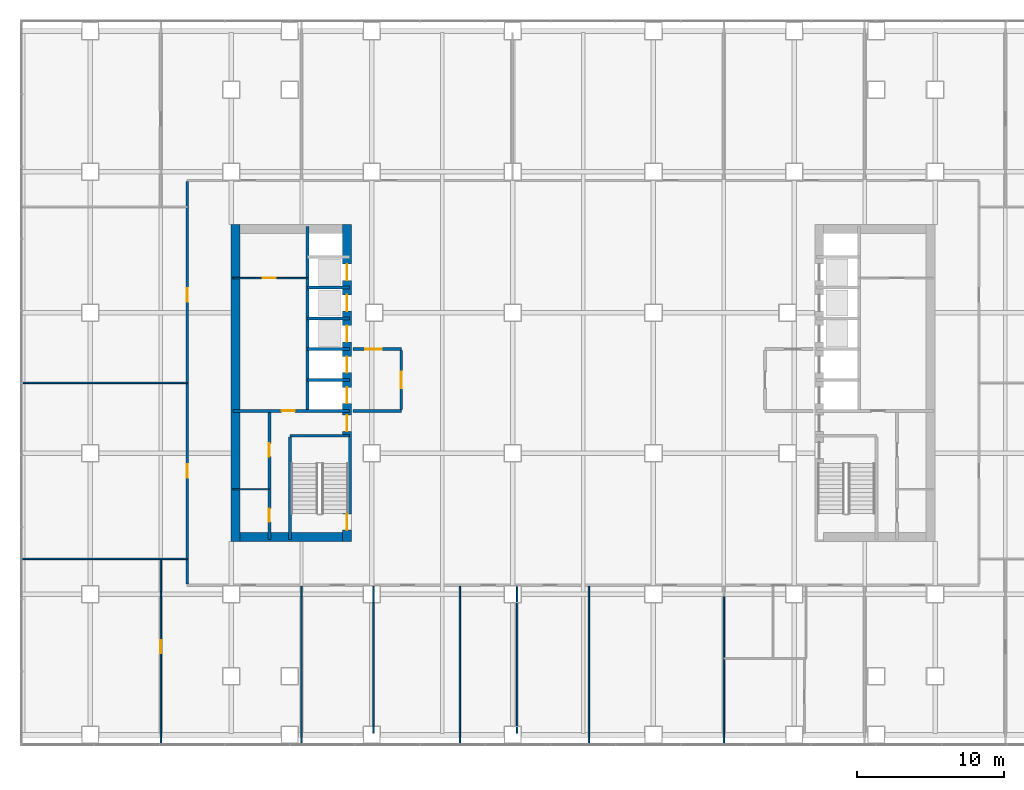
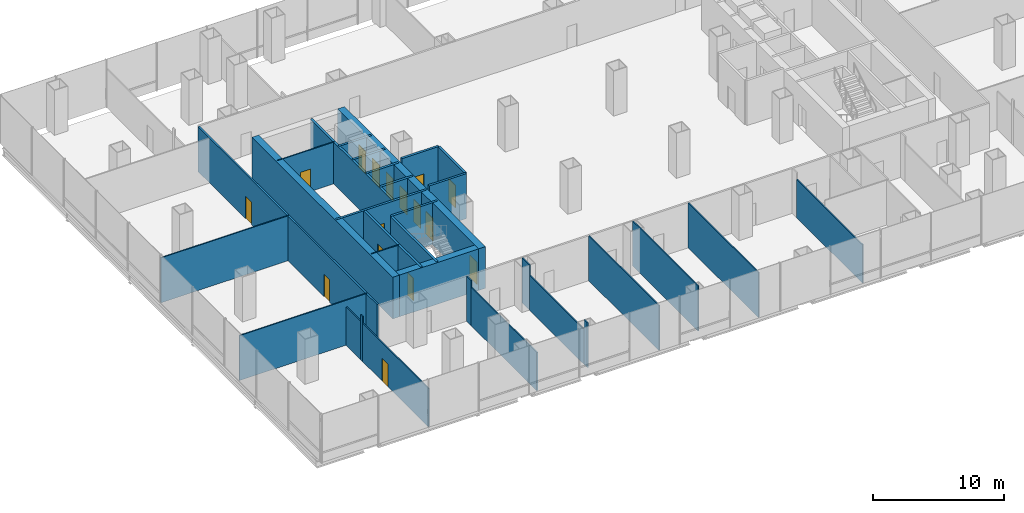
# One storey, part 16 of 23: 32 walls, 16 doors, 16 openings.
"""IFC4 building model written with IfcOpenShell, lengths in metres."""

from ifc_helpers import new_model, si_unit, direction, frame, frame_2d, origin, place, context, subcontext, project, spatial, rectangle, extrude, material, layer, layer_set, type_object, element, fill, save


model = new_model("IFC4")

# Units and contexts
model_context = context("Model", 3, precision=1e-05, world=origin(), true_north=direction((0.0, 1.0)))
body_context = subcontext(model_context, "Body", "Model", "MODEL_VIEW")
ifc_project = project(units=[si_unit("LENGTHUNIT", "METRE"), si_unit("AREAUNIT", "SQUARE_METRE"), si_unit("VOLUMEUNIT", "CUBIC_METRE"), si_unit("PLANEANGLEUNIT", "RADIAN"), si_unit("MASSUNIT", "GRAM", prefix="KILO")], contexts=[model_context])

# Site, building, storey
site_placement = place(None, origin())
site = spatial("IfcSite", under=ifc_project, at=site_placement, CompositionType="ELEMENT")
building_placement = place(site_placement, origin())
building = spatial("IfcBuilding", under=site, at=building_placement, Name="Cobrizo Arcos Hotel Tower", CompositionType="ELEMENT")
storey_placement = place(building_placement, frame((0.0, 0.0, 29.0)))
storey = spatial("IfcBuildingStorey", under=building, at=storey_placement, Name="L05", CompositionType="ELEMENT", Elevation=29.0)

# Wall, openings, doors
ifc_material_1 = material(Name="Gypsum board partition")
ifc_layer_1 = layer(ifc_material_1, 0.14990234375)
ifc_layer_set_1 = layer_set([ifc_layer_1], Name="Corridor wall EI 60 150")
wall_type_1 = type_object("IfcWallType", Name="Corridor wall EI 60 150", PredefinedType="PARTITIONING", material=ifc_layer_set_1)
wall_1_placement = place(storey_placement, frame((-27.0, -13.72509765625, 0.0), z_axis=(0.0, 0.0, 1.0), x_axis=(0.0, 1.0, 0.0)))
wall_1 = element("IfcWall", 1, at=wall_1_placement, inside=storey, type_object=wall_type_1, Name="Partition 038", PredefinedType="PARTITIONING", context=body_context, shape_type="SweptSolid", body=[
    extrude(rectangle(XDim=27.4501953125, YDim=0.14990234375, at=frame_2d((13.72509765625, 0.0))), origin(), (0.0, 0.0, 1.0), 4.199951171875),
])
opening_1_placement = place(wall_1_placement, frame((7.27490234375, 0.0, 0.0)))
opening_1 = element("IfcOpeningElement", 2, at=opening_1_placement, cuts=wall_1, Name="Opening RD-16", PredefinedType="OPENING", context=body_context, shape_type="SweptSolid", body=[
    extrude(rectangle(XDim=0.89990234375, YDim=2.10009765625, at=frame_2d((0.449951171875, 1.050048828125))), frame((0.0, 0.0869140625, 0.0), z_axis=(0.0, -1.0, 0.0), x_axis=(1.0, 0.0, 0.0)), (0.0, 0.0, 1.0), 0.173828125),
])
opening_2_placement = place(wall_1_placement, frame((19.27490234375, 0.0, 0.0)))
opening_2 = element("IfcOpeningElement", 3, at=opening_2_placement, cuts=wall_1, Name="Opening RD-17", PredefinedType="OPENING", context=body_context, shape_type="SweptSolid", body=[
    extrude(rectangle(XDim=0.89990234375, YDim=2.10009765625, at=frame_2d((0.449951171875, 1.050048828125))), frame((0.0, 0.0869140625, 0.0), z_axis=(0.0, -1.0, 0.0), x_axis=(1.0, 0.0, 0.0)), (0.0, 0.0, 1.0), 0.173828125),
])
ifc_material_2 = material(Name="Timber door leaf", Category="wood")
door_type_1 = type_object("IfcDoorType", Name="Room door FD30 900x2100", OperationType="SINGLE_SWING_LEFT", PredefinedType="DOOR", material=ifc_material_2)
door_1_placement = place(opening_1_placement, origin())
door_1 = element("IfcDoor", 4, at=door_1_placement, inside=storey, type_object=door_type_1, Name="Door RD-16", OperationType="SINGLE_SWING_RIGHT", OverallHeight=2.10009765625, OverallWidth=0.89990234375, PredefinedType="DOOR", context=body_context, shape_type="SweptSolid", body=[
    extrude(rectangle(XDim=0.89990234375, YDim=2.10009765625, at=frame_2d((0.449951171875, 1.050048828125))), frame((0.0, 0.02490234375, 0.0), z_axis=(0.0, -1.0, 0.0), x_axis=(1.0, 0.0, 0.0)), (0.0, 0.0, 1.0), 0.050048828125),
])
fill(opening_1, door_1)
door_2_placement = place(opening_2_placement, origin())
door_2 = element("IfcDoor", 5, at=door_2_placement, inside=storey, type_object=door_type_1, Name="Door RD-17", OperationType="SINGLE_SWING_LEFT", OverallHeight=2.10009765625, OverallWidth=0.89990234375, PredefinedType="DOOR", context=body_context, shape_type="SweptSolid", body=[
    extrude(rectangle(XDim=0.89990234375, YDim=2.10009765625, at=frame_2d((0.449951171875, 1.050048828125))), frame((0.0, 0.02490234375, 0.0), z_axis=(0.0, -1.0, 0.0), x_axis=(1.0, 0.0, 0.0)), (0.0, 0.0, 1.0), 0.050048828125),
])
fill(opening_2, door_2)

# Walls
ifc_layer_2 = layer(ifc_material_1, 0.10009765625)
ifc_layer_set_2 = layer_set([ifc_layer_2], Name="Partition EI 30 100")
wall_type_2 = type_object("IfcWallType", Name="Partition EI 30 100", PredefinedType="PARTITIONING", material=ifc_layer_set_2)
wall_2_placement = place(storey_placement, frame((-38.280029296875, -12.0, 0.0), z_axis=(0.0, 0.0, 1.0), x_axis=(1.0, 0.0, 0.0)))
element("IfcWall", 6, at=wall_2_placement, inside=storey, type_object=wall_type_2, Name="Partition 003", PredefinedType="PARTITIONING", context=body_context, shape_type="SweptSolid", body=[
    extrude(rectangle(XDim=11.280029296875, YDim=0.10009765625, at=frame_2d((5.64013671875, 0.0))), origin(), (0.0, 0.0, 1.0), 4.199951171875),
])
wall_3_placement = place(storey_placement, frame((-23.8798828125, -7.25, 0.0), z_axis=(0.0, 0.0, 1.0), x_axis=(1.0, 0.0, 0.0)))
element("IfcWall", 7, at=wall_3_placement, inside=storey, type_object=wall_type_2, Name="Partition 005", PredefinedType="PARTITIONING", context=body_context, shape_type="SweptSolid", body=[
    extrude(rectangle(XDim=2.47998046875, YDim=0.10009765625, at=frame_2d((1.239990234375, 0.0))), origin(), (0.0, 0.0, 1.0), 3.89990234375),
])
wall_4_placement = place(storey_placement, frame((-38.280029296875, 0.0, 0.0), z_axis=(0.0, 0.0, 1.0), x_axis=(1.0, 0.0, 0.0)))
element("IfcWall", 8, at=wall_4_placement, inside=storey, type_object=wall_type_2, Name="Partition 013", PredefinedType="PARTITIONING", context=body_context, shape_type="SweptSolid", body=[
    extrude(rectangle(XDim=11.280029296875, YDim=0.10009765625, at=frame_2d((5.64013671875, 0.0))), origin(), (0.0, 0.0, 1.0), 4.199951171875),
])

# Wall, opening, door
wall_5_placement = place(storey_placement, frame((-23.8798828125, 7.14990234375, 0.0), z_axis=(0.0, 0.0, 1.0), x_axis=(1.0, 0.0, 0.0)))
wall_5 = element("IfcWall", 9, at=wall_5_placement, inside=storey, type_object=wall_type_2, Name="Partition 025", PredefinedType="PARTITIONING", context=body_context, shape_type="SweptSolid", body=[
    extrude(rectangle(XDim=5.079833984375, YDim=0.10009765625, at=frame_2d((2.5400390625, 0.0))), origin(), (0.0, 0.0, 1.0), 3.89990234375),
])
opening_3_placement = place(wall_5_placement, frame((2.030029296875, 0.0, 0.0)))
opening_3 = element("IfcOpeningElement", 10, at=opening_3_placement, cuts=wall_5, Name="Opening RD-04", PredefinedType="OPENING", context=body_context, shape_type="SweptSolid", body=[
    extrude(rectangle(XDim=0.89990234375, YDim=2.10009765625, at=frame_2d((0.449951171875, 1.050048828125))), frame((0.0, 0.06201171875, 0.0), z_axis=(0.0, -1.0, 0.0), x_axis=(1.0, 0.0, 0.0)), (0.0, 0.0, 1.0), 0.1240234375),
])
door_3_placement = place(opening_3_placement, origin())
door_3 = element("IfcDoor", 11, at=door_3_placement, inside=storey, type_object=door_type_1, Name="Door RD-04", OperationType="SINGLE_SWING_LEFT", OverallHeight=2.10009765625, OverallWidth=0.89990234375, PredefinedType="DOOR", context=body_context, shape_type="SweptSolid", body=[
    extrude(rectangle(XDim=0.89990234375, YDim=2.10009765625, at=frame_2d((0.449951171875, 1.050048828125))), frame((0.0, 0.02490234375, 0.0), z_axis=(0.0, -1.0, 0.0), x_axis=(1.0, 0.0, 0.0)), (0.0, 0.0, 1.0), 0.050048828125),
])
fill(opening_3, door_3)

wall_6_placement = place(storey_placement, frame((-28.800048828125, -24.6298828125, 0.0), z_axis=(0.0, 0.0, 1.0), x_axis=(0.0, 1.0, 0.0)))
wall_6 = element("IfcWall", 12, at=wall_6_placement, inside=storey, type_object=wall_type_2, Name="Partition 032", PredefinedType="PARTITIONING", context=body_context, shape_type="SweptSolid", body=[
    extrude(rectangle(XDim=10.076171875, YDim=0.10009765625, at=frame_2d((5.0380859375, 0.0))), origin(), (0.0, 0.0, 1.0), 3.5830078125),
])
opening_4_placement = place(wall_6_placement, frame((6.179931640625, 0.0, 0.0)))
opening_4 = element("IfcOpeningElement", 13, at=opening_4_placement, cuts=wall_6, Name="Opening RD-27", PredefinedType="OPENING", context=body_context, shape_type="SweptSolid", body=[
    extrude(rectangle(XDim=0.89990234375, YDim=2.10009765625, at=frame_2d((0.449951171875, 1.050048828125))), frame((0.0, 0.06201171875, 0.0), z_axis=(0.0, -1.0, 0.0), x_axis=(1.0, 0.0, 0.0)), (0.0, 0.0, 1.0), 0.1240234375),
])
door_4_placement = place(opening_4_placement, origin())
door_4 = element("IfcDoor", 14, at=door_4_placement, inside=storey, type_object=door_type_1, Name="Door RD-27", OperationType="SINGLE_SWING_RIGHT", OverallHeight=2.10009765625, OverallWidth=0.89990234375, PredefinedType="DOOR", context=body_context, shape_type="SweptSolid", body=[
    extrude(rectangle(XDim=0.89990234375, YDim=2.10009765625, at=frame_2d((0.449951171875, 1.050048828125))), frame((0.0, 0.02490234375, 0.0), z_axis=(0.0, -1.0, 0.0), x_axis=(1.0, 0.0, 0.0)), (0.0, 0.0, 1.0), 0.050048828125),
])
fill(opening_4, door_4)

# Walls
wall_7_placement = place(storey_placement, frame((-28.800048828125, -14.553955078125, 0.0), z_axis=(0.0, 0.0, 1.0), x_axis=(0.0, 1.0, 0.0)))
element("IfcWall", 15, at=wall_7_placement, inside=storey, type_object=wall_type_2, Name="Partition 033", PredefinedType="PARTITIONING", context=body_context, shape_type="SweptSolid", body=[
    extrude(rectangle(XDim=0.307861328125, YDim=0.10009765625, at=frame_2d((0.15380859375, 0.0))), origin(), (0.0, 0.0, 1.0), 4.199951171875),
])
wall_8_placement = place(storey_placement, frame((-28.800048828125, -14.24609375, 0.0), z_axis=(0.0, 0.0, 1.0), x_axis=(0.0, 1.0, 0.0)))
element("IfcWall", 16, at=wall_8_placement, inside=storey, type_object=wall_type_2, Name="Partition 034", PredefinedType="PARTITIONING", context=body_context, shape_type="SweptSolid", body=[
    extrude(rectangle(XDim=2.196044921875, YDim=0.10009765625, at=frame_2d((1.09814453125, 0.0))), origin(), (0.0, 0.0, 1.0), 3.5830078125),
])
wall_9_placement = place(storey_placement, frame((-19.199951171875, -24.6298828125, 0.0), z_axis=(0.0, 0.0, 1.0), x_axis=(0.0, 1.0, 0.0)))
element("IfcWall", 17, at=wall_9_placement, inside=storey, type_object=wall_type_2, Name="Partition 041", PredefinedType="PARTITIONING", context=body_context, shape_type="SweptSolid", body=[
    extrude(rectangle(XDim=10.076171875, YDim=0.10009765625, at=frame_2d((5.0380859375, 0.0))), origin(), (0.0, 0.0, 1.0), 3.5830078125),
])
wall_10_placement = place(storey_placement, frame((-19.199951171875, -14.553955078125, 0.0), z_axis=(0.0, 0.0, 1.0), x_axis=(0.0, 1.0, 0.0)))
element("IfcWall", 18, at=wall_10_placement, inside=storey, type_object=wall_type_2, Name="Partition 042", PredefinedType="PARTITIONING", context=body_context, shape_type="SweptSolid", body=[
    extrude(rectangle(XDim=0.678955078125, YDim=0.10009765625, at=frame_2d((0.33935546875, 0.0))), origin(), (0.0, 0.0, 1.0), 4.199951171875),
])
wall_11_placement = place(storey_placement, frame((-14.300048828125, -23.8798828125, 0.0), z_axis=(0.0, 0.0, 1.0), x_axis=(0.0, 1.0, 0.0)))
element("IfcWall", 19, at=wall_11_placement, inside=storey, type_object=wall_type_2, Name="Partition 046", PredefinedType="PARTITIONING", context=body_context, shape_type="SweptSolid", body=[
    extrude(rectangle(XDim=0.47998046875, YDim=0.10009765625, at=frame_2d((0.239990234375, 0.0))), origin(), (0.0, 0.0, 1.0), 4.199951171875),
])
wall_12_placement = place(storey_placement, frame((-14.300048828125, -23.39990234375, 0.0), z_axis=(0.0, 0.0, 1.0), x_axis=(0.0, 1.0, 0.0)))
element("IfcWall", 20, at=wall_12_placement, inside=storey, type_object=wall_type_2, Name="Partition 047", PredefinedType="PARTITIONING", context=body_context, shape_type="SweptSolid", body=[
    extrude(rectangle(XDim=8.39990234375, YDim=0.10009765625, at=frame_2d((4.199951171875, 0.0))), origin(), (0.0, 0.0, 1.0), 3.27294921875),
])
wall_13_placement = place(storey_placement, frame((-14.300048828125, -15.0, 0.0), z_axis=(0.0, 0.0, 1.0), x_axis=(0.0, 1.0, 0.0)))
element("IfcWall", 21, at=wall_13_placement, inside=storey, type_object=wall_type_2, Name="Partition 048", PredefinedType="PARTITIONING", context=body_context, shape_type="SweptSolid", body=[
    extrude(rectangle(XDim=1.125, YDim=0.10009765625, at=frame_2d((0.5625, 0.0))), origin(), (0.0, 0.0, 1.0), 4.199951171875),
])
wall_14_placement = place(storey_placement, frame((-8.39990234375, -24.6298828125, 0.0), z_axis=(0.0, 0.0, 1.0), x_axis=(0.0, 1.0, 0.0)))
element("IfcWall", 22, at=wall_14_placement, inside=storey, type_object=wall_type_2, Name="Partition 050", PredefinedType="PARTITIONING", context=body_context, shape_type="SweptSolid", body=[
    extrude(rectangle(XDim=10.7548828125, YDim=0.10009765625, at=frame_2d((5.37744140625, 0.0))), origin(), (0.0, 0.0, 1.0), 4.199951171875),
])
wall_15_placement = place(storey_placement, frame((-4.5, -23.8798828125, 0.0), z_axis=(0.0, 0.0, 1.0), x_axis=(0.0, 1.0, 0.0)))
element("IfcWall", 23, at=wall_15_placement, inside=storey, type_object=wall_type_2, Name="Partition 054", PredefinedType="PARTITIONING", context=body_context, shape_type="SweptSolid", body=[
    extrude(rectangle(XDim=10.0048828125, YDim=0.10009765625, at=frame_2d((5.00244140625, 0.0))), origin(), (0.0, 0.0, 1.0), 4.199951171875),
])
wall_16_placement = place(storey_placement, frame((0.39990234375, -24.6298828125, 0.0), z_axis=(0.0, 0.0, 1.0), x_axis=(0.0, 1.0, 0.0)))
element("IfcWall", 24, at=wall_16_placement, inside=storey, type_object=wall_type_2, Name="Partition 055", PredefinedType="PARTITIONING", context=body_context, shape_type="SweptSolid", body=[
    extrude(rectangle(XDim=10.7548828125, YDim=0.10009765625, at=frame_2d((5.37744140625, 0.0))), origin(), (0.0, 0.0, 1.0), 4.199951171875),
])
wall_17_placement = place(storey_placement, frame((9.60009765625, -24.6298828125, 0.0), z_axis=(0.0, 0.0, 1.0), x_axis=(0.0, 1.0, 0.0)))
element("IfcWall", 25, at=wall_17_placement, inside=storey, type_object=wall_type_2, Name="Partition 056", PredefinedType="PARTITIONING", context=body_context, shape_type="SweptSolid", body=[
    extrude(rectangle(XDim=10.076171875, YDim=0.10009765625, at=frame_2d((5.0380859375, 0.0))), origin(), (0.0, 0.0, 1.0), 3.5830078125),
])

# Wall, openings, doors
ifc_material_3 = material(Name="Concrete f'c 60 MPa", Category="concrete")
ifc_layer_3 = layer(ifc_material_3, 0.60009765625)
ifc_layer_set_3 = layer_set([ifc_layer_3], Name="RC core wall 600 f'c 60")
wall_type_3 = type_object("IfcWallType", Name="RC core wall 600 f'c 60", PredefinedType="SHEAR", material=ifc_layer_set_3)
wall_18_placement = place(storey_placement, frame((-16.10009765625, -10.800048828125, 0.0), z_axis=(0.0, 0.0, 1.0), x_axis=(0.0, 1.0, 0.0)))
wall_18 = element("IfcWall", 26, at=wall_18_placement, inside=storey, type_object=wall_type_3, Name="Core wall CW1, west core, inner face, L05", PredefinedType="SHEAR", context=body_context, shape_type="SweptSolid", body=[
    extrude(rectangle(XDim=21.60009765625, YDim=0.60009765625, at=frame_2d((10.800048828125, 0.0))), origin(), (0.0, 0.0, 1.0), 3.89990234375),
])
opening_5_placement = place(wall_18_placement, frame((9.39990234375, 0.0, 0.0)))
opening_5 = element("IfcOpeningElement", 27, at=opening_5_placement, cuts=wall_18, Name="Opening LD-01", PredefinedType="OPENING", context=body_context, shape_type="SweptSolid", body=[
    extrude(rectangle(XDim=1.10009765625, YDim=2.10009765625, at=frame_2d((0.550048828125, 1.050048828125))), frame((0.0, 0.31201171875, 0.0), z_axis=(0.0, -1.0, 0.0), x_axis=(1.0, 0.0, 0.0)), (0.0, 0.0, 1.0), 0.6240234375),
])
opening_6_placement = place(wall_18_placement, frame((11.5, 0.0, 0.0)))
opening_6 = element("IfcOpeningElement", 28, at=opening_6_placement, cuts=wall_18, Name="Opening LD-02", PredefinedType="OPENING", context=body_context, shape_type="SweptSolid", body=[
    extrude(rectangle(XDim=1.10009765625, YDim=2.10009765625, at=frame_2d((0.550048828125, 1.050048828125))), frame((0.0, 0.31201171875, 0.0), z_axis=(0.0, -1.0, 0.0), x_axis=(1.0, 0.0, 0.0)), (0.0, 0.0, 1.0), 0.6240234375),
])
opening_7_placement = place(wall_18_placement, frame((13.60009765625, 0.0, 0.0)))
opening_7 = element("IfcOpeningElement", 29, at=opening_7_placement, cuts=wall_18, Name="Opening LD-03", PredefinedType="OPENING", context=body_context, shape_type="SweptSolid", body=[
    extrude(rectangle(XDim=1.10009765625, YDim=2.10009765625, at=frame_2d((0.550048828125, 1.050048828125))), frame((0.0, 0.31201171875, 0.0), z_axis=(0.0, -1.0, 0.0), x_axis=(1.0, 0.0, 0.0)), (0.0, 0.0, 1.0), 0.6240234375),
])
opening_8_placement = place(wall_18_placement, frame((15.699951171875, 0.0, 0.0)))
opening_8 = element("IfcOpeningElement", 30, at=opening_8_placement, cuts=wall_18, Name="Opening LD-04", PredefinedType="OPENING", context=body_context, shape_type="SweptSolid", body=[
    extrude(rectangle(XDim=1.10009765625, YDim=2.10009765625, at=frame_2d((0.550048828125, 1.050048828125))), frame((0.0, 0.31201171875, 0.0), z_axis=(0.0, -1.0, 0.0), x_axis=(1.0, 0.0, 0.0)), (0.0, 0.0, 1.0), 0.6240234375),
])
opening_9_placement = place(wall_18_placement, frame((17.800048828125, 0.0, 0.0)))
opening_9 = element("IfcOpeningElement", 31, at=opening_9_placement, cuts=wall_18, Name="Opening LD-05", PredefinedType="OPENING", context=body_context, shape_type="SweptSolid", body=[
    extrude(rectangle(XDim=1.10009765625, YDim=2.10009765625, at=frame_2d((0.550048828125, 1.050048828125))), frame((0.0, 0.31201171875, 0.0), z_axis=(0.0, -1.0, 0.0), x_axis=(1.0, 0.0, 0.0)), (0.0, 0.0, 1.0), 0.6240234375),
])
opening_10_placement = place(wall_18_placement, frame((0.758056640625, 0.0, 0.0)))
opening_10 = element("IfcOpeningElement", 32, at=opening_10_placement, cuts=wall_18, Name="Opening SD-01", PredefinedType="OPENING", context=body_context, shape_type="SweptSolid", body=[
    extrude(rectangle(XDim=1.10009765625, YDim=2.10009765625, at=frame_2d((0.550048828125, 1.050048828125))), frame((0.0, 0.31201171875, 0.0), z_axis=(0.0, -1.0, 0.0), x_axis=(1.0, 0.0, 0.0)), (0.0, 0.0, 1.0), 0.6240234375),
])
opening_11_placement = place(wall_18_placement, frame((7.5, 0.0, 0.0)))
opening_11 = element("IfcOpeningElement", 33, at=opening_11_placement, cuts=wall_18, Name="Opening FD-01", PredefinedType="OPENING", context=body_context, shape_type="SweptSolid", body=[
    extrude(rectangle(XDim=1.10009765625, YDim=2.10009765625, at=frame_2d((0.550048828125, 1.050048828125))), frame((0.0, 0.31201171875, 0.0), z_axis=(0.0, -1.0, 0.0), x_axis=(1.0, 0.0, 0.0)), (0.0, 0.0, 1.0), 0.6240234375),
])
ifc_material_4 = material(Name="Steel door leaf", Category="steel")
door_type_2 = type_object("IfcDoorType", Name="Fire door FD60 1100x2100", OperationType="SINGLE_SWING_LEFT", PredefinedType="DOOR", material=ifc_material_4)
door_5_placement = place(opening_11_placement, origin())
door_5 = element("IfcDoor", 34, at=door_5_placement, inside=storey, type_object=door_type_2, Name="Door FD-01", OperationType="SINGLE_SWING_LEFT", OverallHeight=2.10009765625, OverallWidth=1.10009765625, PredefinedType="DOOR", context=body_context, shape_type="SweptSolid", body=[
    extrude(rectangle(XDim=1.10009765625, YDim=2.10009765625, at=frame_2d((0.550048828125, 1.050048828125))), frame((0.0, 0.02490234375, 0.0), z_axis=(0.0, -1.0, 0.0), x_axis=(1.0, 0.0, 0.0)), (0.0, 0.0, 1.0), 0.050048828125),
])
fill(opening_11, door_5)
door_type_3 = type_object("IfcDoorType", Name="Lift landing door 1100x2100", OperationType="SLIDING_TO_LEFT", PredefinedType="DOOR", material=ifc_material_4)
door_6_placement = place(opening_5_placement, origin())
door_6 = element("IfcDoor", 35, at=door_6_placement, inside=storey, type_object=door_type_3, Name="Lift landing door LD-01", OperationType="SLIDING_TO_LEFT", OverallHeight=2.10009765625, OverallWidth=1.10009765625, PredefinedType="DOOR", context=body_context, shape_type="SweptSolid", body=[
    extrude(rectangle(XDim=1.10009765625, YDim=2.10009765625, at=frame_2d((0.550048828125, 1.050048828125))), frame((0.0, 0.02490234375, 0.0), z_axis=(0.0, -1.0, 0.0), x_axis=(1.0, 0.0, 0.0)), (0.0, 0.0, 1.0), 0.050048828125),
])
fill(opening_5, door_6)
door_7_placement = place(opening_6_placement, origin())
door_7 = element("IfcDoor", 36, at=door_7_placement, inside=storey, type_object=door_type_3, Name="Lift landing door LD-02", OperationType="SLIDING_TO_LEFT", OverallHeight=2.10009765625, OverallWidth=1.10009765625, PredefinedType="DOOR", context=body_context, shape_type="SweptSolid", body=[
    extrude(rectangle(XDim=1.10009765625, YDim=2.10009765625, at=frame_2d((0.550048828125, 1.050048828125))), frame((0.0, 0.02490234375, 0.0), z_axis=(0.0, -1.0, 0.0), x_axis=(1.0, 0.0, 0.0)), (0.0, 0.0, 1.0), 0.050048828125),
])
fill(opening_6, door_7)
door_8_placement = place(opening_7_placement, origin())
door_8 = element("IfcDoor", 37, at=door_8_placement, inside=storey, type_object=door_type_3, Name="Lift landing door LD-03", OperationType="SLIDING_TO_LEFT", OverallHeight=2.10009765625, OverallWidth=1.10009765625, PredefinedType="DOOR", context=body_context, shape_type="SweptSolid", body=[
    extrude(rectangle(XDim=1.10009765625, YDim=2.10009765625, at=frame_2d((0.550048828125, 1.050048828125))), frame((0.0, 0.02490234375, 0.0), z_axis=(0.0, -1.0, 0.0), x_axis=(1.0, 0.0, 0.0)), (0.0, 0.0, 1.0), 0.050048828125),
])
fill(opening_7, door_8)
door_9_placement = place(opening_8_placement, origin())
door_9 = element("IfcDoor", 38, at=door_9_placement, inside=storey, type_object=door_type_3, Name="Lift landing door LD-04", OperationType="SLIDING_TO_LEFT", OverallHeight=2.10009765625, OverallWidth=1.10009765625, PredefinedType="DOOR", context=body_context, shape_type="SweptSolid", body=[
    extrude(rectangle(XDim=1.10009765625, YDim=2.10009765625, at=frame_2d((0.550048828125, 1.050048828125))), frame((0.0, 0.02490234375, 0.0), z_axis=(0.0, -1.0, 0.0), x_axis=(1.0, 0.0, 0.0)), (0.0, 0.0, 1.0), 0.050048828125),
])
fill(opening_8, door_9)
door_10_placement = place(opening_9_placement, origin())
door_10 = element("IfcDoor", 39, at=door_10_placement, inside=storey, type_object=door_type_3, Name="Lift landing door LD-05", OperationType="SLIDING_TO_LEFT", OverallHeight=2.10009765625, OverallWidth=1.10009765625, PredefinedType="DOOR", context=body_context, shape_type="SweptSolid", body=[
    extrude(rectangle(XDim=1.10009765625, YDim=2.10009765625, at=frame_2d((0.550048828125, 1.050048828125))), frame((0.0, 0.02490234375, 0.0), z_axis=(0.0, -1.0, 0.0), x_axis=(1.0, 0.0, 0.0)), (0.0, 0.0, 1.0), 0.050048828125),
])
fill(opening_9, door_10)
door_type_4 = type_object("IfcDoorType", Name="Stair door FD60S 1100x2100", OperationType="SINGLE_SWING_LEFT", PredefinedType="DOOR", material=ifc_material_4)
door_11_placement = place(opening_10_placement, origin())
door_11 = element("IfcDoor", 40, at=door_11_placement, inside=storey, type_object=door_type_4, Name="Door SD-01", OperationType="SINGLE_SWING_RIGHT", OverallHeight=2.10009765625, OverallWidth=1.10009765625, PredefinedType="DOOR", context=body_context, shape_type="SweptSolid", body=[
    extrude(rectangle(XDim=1.10009765625, YDim=2.10009765625, at=frame_2d((0.550048828125, 1.050048828125))), frame((0.0, 0.02490234375, 0.0), z_axis=(0.0, -1.0, 0.0), x_axis=(1.0, 0.0, 0.0)), (0.0, 0.0, 1.0), 0.050048828125),
])
fill(opening_10, door_11)

# Walls
wall_19_placement = place(storey_placement, frame((-23.699951171875, -10.800048828125, 0.0), z_axis=(0.0, 0.0, 1.0), x_axis=(0.0, 1.0, 0.0)))
element("IfcWall", 41, at=wall_19_placement, inside=storey, type_object=wall_type_3, Name="Core wall CW1, west core, outer face, L05", PredefinedType="SHEAR", context=body_context, shape_type="SweptSolid", body=[
    extrude(rectangle(XDim=21.60009765625, YDim=0.60009765625, at=frame_2d((10.800048828125, 0.0))), origin(), (0.0, 0.0, 1.0), 3.89990234375),
])
wall_20_placement = place(storey_placement, frame((-23.39990234375, -10.5, 0.0), z_axis=(0.0, 0.0, 1.0), x_axis=(1.0, 0.0, 0.0)))
element("IfcWall", 42, at=wall_20_placement, inside=storey, type_object=wall_type_3, Name="Core wall CW1, west core, south end, L05", PredefinedType="SHEAR", context=body_context, shape_type="SweptSolid", body=[
    extrude(rectangle(XDim=7.0, YDim=0.60009765625, at=frame_2d((3.5, 0.0))), origin(), (0.0, 0.0, 1.0), 3.89990234375),
])

# Wall, opening, door
ifc_layer_4 = layer(ifc_material_1, 0.199951171875)
ifc_layer_set_4 = layer_set([ifc_layer_4], Name="Shaft wall EI 120 200")
wall_type_4 = type_object("IfcWallType", Name="Shaft wall EI 120 200", PredefinedType="PARTITIONING", material=ifc_layer_set_4)
wall_21_placement = place(storey_placement, frame((-23.8798828125, -1.89990234375, 0.0), z_axis=(0.0, 0.0, 1.0), x_axis=(1.0, 0.0, 0.0)))
wall_21 = element("IfcWall", 43, at=wall_21_placement, inside=storey, type_object=wall_type_4, Name="Partition 009", PredefinedType="PARTITIONING", context=body_context, shape_type="SweptSolid", body=[
    extrude(rectangle(XDim=7.9599609375, YDim=0.199951171875, at=frame_2d((3.97998046875, 0.0))), origin(), (0.0, 0.0, 1.0), 3.89990234375),
])
opening_12_placement = place(wall_21_placement, frame((3.320068359375, 0.0, 0.0)))
opening_12 = element("IfcOpeningElement", 44, at=opening_12_placement, cuts=wall_21, Name="Opening RD-03", PredefinedType="OPENING", context=body_context, shape_type="SweptSolid", body=[
    extrude(rectangle(XDim=0.89990234375, YDim=2.10009765625, at=frame_2d((0.449951171875, 1.050048828125))), frame((0.0, 0.112060546875, 0.0), z_axis=(0.0, -1.0, 0.0), x_axis=(1.0, 0.0, 0.0)), (0.0, 0.0, 1.0), 0.223876953125),
])
door_12_placement = place(opening_12_placement, origin())
door_12 = element("IfcDoor", 45, at=door_12_placement, inside=storey, type_object=door_type_1, Name="Door RD-03", OperationType="SINGLE_SWING_RIGHT", OverallHeight=2.10009765625, OverallWidth=0.89990234375, PredefinedType="DOOR", context=body_context, shape_type="SweptSolid", body=[
    extrude(rectangle(XDim=0.89990234375, YDim=2.10009765625, at=frame_2d((0.449951171875, 1.050048828125))), frame((0.0, 0.02490234375, 0.0), z_axis=(0.0, -1.0, 0.0), x_axis=(1.0, 0.0, 0.0)), (0.0, 0.0, 1.0), 0.050048828125),
])
fill(opening_12, door_12)

# Walls
wall_22_placement = place(storey_placement, frame((-15.679931640625, -1.89990234375, 0.0), z_axis=(0.0, 0.0, 1.0), x_axis=(1.0, 0.0, 0.0)))
element("IfcWall", 46, at=wall_22_placement, inside=storey, type_object=wall_type_4, Name="Partition 010", PredefinedType="PARTITIONING", context=body_context, shape_type="SweptSolid", body=[
    extrude(rectangle(XDim=3.280029296875, YDim=0.199951171875, at=frame_2d((1.64013671875, 0.0))), origin(), (0.0, 0.0, 1.0), 4.199951171875),
])
for number, where, z_axis, x_axis, name in (
    (47, (-18.800048828125, 0.199951171875, 0.0), (0.0, 0.0, 1.0), (1.0, 0.0, 0.0), "Partition 015"),
    (48, (-18.800048828125, 2.300048828125, 0.0), (0.0, 0.0, 1.0), (1.0, 0.0, 0.0), "Partition 017"),
):
    element("IfcWall", number, at=place(storey_placement, frame(where, z_axis=z_axis, x_axis=x_axis)), inside=storey, type_object=wall_type_4, Name=name, PredefinedType="PARTITIONING", context=body_context, shape_type="SweptSolid", body=[
        extrude(rectangle(XDim=2.880126953125, YDim=0.199951171875, at=frame_2d((1.43994140625, 0.0))), origin(), (0.0, 0.0, 1.0), 3.89990234375),
    ])

# Wall, opening, door
wall_23_placement = place(storey_placement, frame((-15.679931640625, 2.300048828125, 0.0), z_axis=(0.0, 0.0, 1.0), x_axis=(1.0, 0.0, 0.0)))
wall_23 = element("IfcWall", 49, at=wall_23_placement, inside=storey, type_object=wall_type_4, Name="Partition 018", PredefinedType="PARTITIONING", context=body_context, shape_type="SweptSolid", body=[
    extrude(rectangle(XDim=3.280029296875, YDim=0.199951171875, at=frame_2d((1.64013671875, 0.0))), origin(), (0.0, 0.0, 1.0), 4.199951171875),
])
opening_13_placement = place(wall_23_placement, frame((0.840087890625, 0.0, 0.0)))
opening_13 = element("IfcOpeningElement", 50, at=opening_13_placement, cuts=wall_23, Name="Opening FD-03", PredefinedType="OPENING", context=body_context, shape_type="SweptSolid", body=[
    extrude(rectangle(XDim=1.10009765625, YDim=2.10009765625, at=frame_2d((0.550048828125, 1.050048828125))), frame((0.0, 0.112060546875, 0.0), z_axis=(0.0, -1.0, 0.0), x_axis=(1.0, 0.0, 0.0)), (0.0, 0.0, 1.0), 0.223876953125),
])
door_13_placement = place(opening_13_placement, origin())
door_13 = element("IfcDoor", 51, at=door_13_placement, inside=storey, type_object=door_type_2, Name="Door FD-03", OperationType="SINGLE_SWING_LEFT", OverallHeight=2.10009765625, OverallWidth=1.10009765625, PredefinedType="DOOR", context=body_context, shape_type="SweptSolid", body=[
    extrude(rectangle(XDim=1.10009765625, YDim=2.10009765625, at=frame_2d((0.550048828125, 1.050048828125))), frame((0.0, 0.02490234375, 0.0), z_axis=(0.0, -1.0, 0.0), x_axis=(1.0, 0.0, 0.0)), (0.0, 0.0, 1.0), 0.050048828125),
])
fill(opening_13, door_13)

# Walls
for number, where, z_axis, x_axis, name in (
    (52, (-18.800048828125, 4.39990234375, 0.0), (0.0, 0.0, 1.0), (1.0, 0.0, 0.0), "Partition 021"),
    (53, (-18.800048828125, 6.5, 0.0), (0.0, 0.0, 1.0), (1.0, 0.0, 0.0), "Partition 023"),
):
    element("IfcWall", number, at=place(storey_placement, frame(where, z_axis=z_axis, x_axis=x_axis)), inside=storey, type_object=wall_type_4, Name=name, PredefinedType="PARTITIONING", context=body_context, shape_type="SweptSolid", body=[
        extrude(rectangle(XDim=2.880126953125, YDim=0.199951171875, at=frame_2d((1.43994140625, 0.0))), origin(), (0.0, 0.0, 1.0), 3.89990234375),
    ])

# Wall, openings, doors
wall_24_placement = place(storey_placement, frame((-21.39990234375, -10.679931640625, 0.0), z_axis=(0.0, 0.0, 1.0), x_axis=(0.0, 1.0, 0.0)))
wall_24 = element("IfcWall", 54, at=wall_24_placement, inside=storey, type_object=wall_type_4, Name="Partition 039", PredefinedType="PARTITIONING", context=body_context, shape_type="SweptSolid", body=[
    extrude(rectangle(XDim=8.679931640625, YDim=0.199951171875, at=frame_2d((4.33984375, 0.0))), origin(), (0.0, 0.0, 1.0), 3.89990234375),
])
opening_14_placement = place(wall_24_placement, frame((1.2099609375, 0.0, 0.0)))
opening_14 = element("IfcOpeningElement", 55, at=opening_14_placement, cuts=wall_24, Name="Opening RD-01", PredefinedType="OPENING", context=body_context, shape_type="SweptSolid", body=[
    extrude(rectangle(XDim=0.89990234375, YDim=2.10009765625, at=frame_2d((0.449951171875, 1.050048828125))), frame((0.0, 0.112060546875, 0.0), z_axis=(0.0, -1.0, 0.0), x_axis=(1.0, 0.0, 0.0)), (0.0, 0.0, 1.0), 0.223876953125),
])
opening_15_placement = place(wall_24_placement, frame((5.659912109375, 0.0, 0.0)))
opening_15 = element("IfcOpeningElement", 56, at=opening_15_placement, cuts=wall_24, Name="Opening RD-02", PredefinedType="OPENING", context=body_context, shape_type="SweptSolid", body=[
    extrude(rectangle(XDim=0.89990234375, YDim=2.10009765625, at=frame_2d((0.449951171875, 1.050048828125))), frame((0.0, 0.112060546875, 0.0), z_axis=(0.0, -1.0, 0.0), x_axis=(1.0, 0.0, 0.0)), (0.0, 0.0, 1.0), 0.223876953125),
])
door_14_placement = place(opening_14_placement, origin())
door_14 = element("IfcDoor", 57, at=door_14_placement, inside=storey, type_object=door_type_1, Name="Door RD-01", OperationType="SINGLE_SWING_RIGHT", OverallHeight=2.10009765625, OverallWidth=0.89990234375, PredefinedType="DOOR", context=body_context, shape_type="SweptSolid", body=[
    extrude(rectangle(XDim=0.89990234375, YDim=2.10009765625, at=frame_2d((0.449951171875, 1.050048828125))), frame((0.0, 0.02490234375, 0.0), z_axis=(0.0, -1.0, 0.0), x_axis=(1.0, 0.0, 0.0)), (0.0, 0.0, 1.0), 0.050048828125),
])
fill(opening_14, door_14)
door_15_placement = place(opening_15_placement, origin())
door_15 = element("IfcDoor", 58, at=door_15_placement, inside=storey, type_object=door_type_1, Name="Door RD-02", OperationType="SINGLE_SWING_LEFT", OverallHeight=2.10009765625, OverallWidth=0.89990234375, PredefinedType="DOOR", context=body_context, shape_type="SweptSolid", body=[
    extrude(rectangle(XDim=0.89990234375, YDim=2.10009765625, at=frame_2d((0.449951171875, 1.050048828125))), frame((0.0, 0.02490234375, 0.0), z_axis=(0.0, -1.0, 0.0), x_axis=(1.0, 0.0, 0.0)), (0.0, 0.0, 1.0), 0.050048828125),
])
fill(opening_15, door_15)

# Wall
wall_25_placement = place(storey_placement, frame((-18.800048828125, -1.800048828125, 0.0), z_axis=(0.0, 0.0, 1.0), x_axis=(0.0, 1.0, 0.0)))
element("IfcWall", 59, at=wall_25_placement, inside=storey, type_object=wall_type_4, Name="Partition 045", PredefinedType="PARTITIONING", context=body_context, shape_type="SweptSolid", body=[
    extrude(rectangle(XDim=12.47998046875, YDim=0.199951171875, at=frame_2d((6.239990234375, 0.0))), origin(), (0.0, 0.0, 1.0), 3.89990234375),
])

# Wall, opening, door
wall_26_placement = place(storey_placement, frame((-12.39990234375, -1.800048828125, 0.0), z_axis=(0.0, 0.0, 1.0), x_axis=(0.0, 1.0, 0.0)))
wall_26 = element("IfcWall", 60, at=wall_26_placement, inside=storey, type_object=wall_type_4, Name="Partition 049", PredefinedType="PARTITIONING", context=body_context, shape_type="SweptSolid", body=[
    extrude(rectangle(XDim=4.0, YDim=0.199951171875, at=frame_2d((2.0, 0.0))), origin(), (0.0, 0.0, 1.0), 4.199951171875),
])
opening_16_placement = place(wall_26_placement, frame((1.449951171875, 0.0, 0.0)))
opening_16 = element("IfcOpeningElement", 61, at=opening_16_placement, cuts=wall_26, Name="Opening FD-02", PredefinedType="OPENING", context=body_context, shape_type="SweptSolid", body=[
    extrude(rectangle(XDim=1.10009765625, YDim=2.10009765625, at=frame_2d((0.550048828125, 1.050048828125))), frame((0.0, 0.112060546875, 0.0), z_axis=(0.0, -1.0, 0.0), x_axis=(1.0, 0.0, 0.0)), (0.0, 0.0, 1.0), 0.223876953125),
])
door_16_placement = place(opening_16_placement, origin())
door_16 = element("IfcDoor", 62, at=door_16_placement, inside=storey, type_object=door_type_2, Name="Door FD-02", OperationType="SINGLE_SWING_RIGHT", OverallHeight=2.10009765625, OverallWidth=1.10009765625, PredefinedType="DOOR", context=body_context, shape_type="SweptSolid", body=[
    extrude(rectangle(XDim=1.10009765625, YDim=2.10009765625, at=frame_2d((0.550048828125, 1.050048828125))), frame((0.0, 0.02490234375, 0.0), z_axis=(0.0, -1.0, 0.0), x_axis=(1.0, 0.0, 0.0)), (0.0, 0.0, 1.0), 0.050048828125),
])
fill(opening_16, door_16)

# Walls
ifc_material_5 = material(Name="Concrete f'c 40 MPa", Category="concrete")
ifc_layer_5 = layer(ifc_material_5, 0.199951171875)
ifc_layer_set_5 = layer_set([ifc_layer_5], Name="Stair shaft wall 200")
wall_type_5 = type_object("IfcWallType", Name="Stair shaft wall 200", PredefinedType="SHEAR", material=ifc_layer_set_5)
wall_27_placement = place(storey_placement, frame((-20.0, -3.60009765625, 0.0), z_axis=(0.0, 0.0, 1.0), x_axis=(1.0, 0.0, 0.0)))
element("IfcWall", 63, at=wall_27_placement, inside=storey, type_object=wall_type_5, Name="Stair shaft wall W", PredefinedType="SHEAR", context=body_context, shape_type="SweptSolid", body=[
    extrude(rectangle(XDim=4.080078125, YDim=0.199951171875, at=frame_2d((2.0400390625, 0.0))), origin(), (0.0, 0.0, 1.0), 3.89990234375),
])
wall_28_placement = place(storey_placement, frame((-20.0, -10.679931640625, 0.0), z_axis=(0.0, 0.0, 1.0), x_axis=(0.0, 1.0, 0.0)))
element("IfcWall", 64, at=wall_28_placement, inside=storey, type_object=wall_type_5, Name="Stair shaft wall W", PredefinedType="SHEAR", context=body_context, shape_type="SweptSolid", body=[
    extrude(rectangle(XDim=6.97998046875, YDim=0.199951171875, at=frame_2d((3.489990234375, 0.0))), origin(), (0.0, 0.0, 1.0), 3.89990234375),
])

save(model, "model.ifc")
